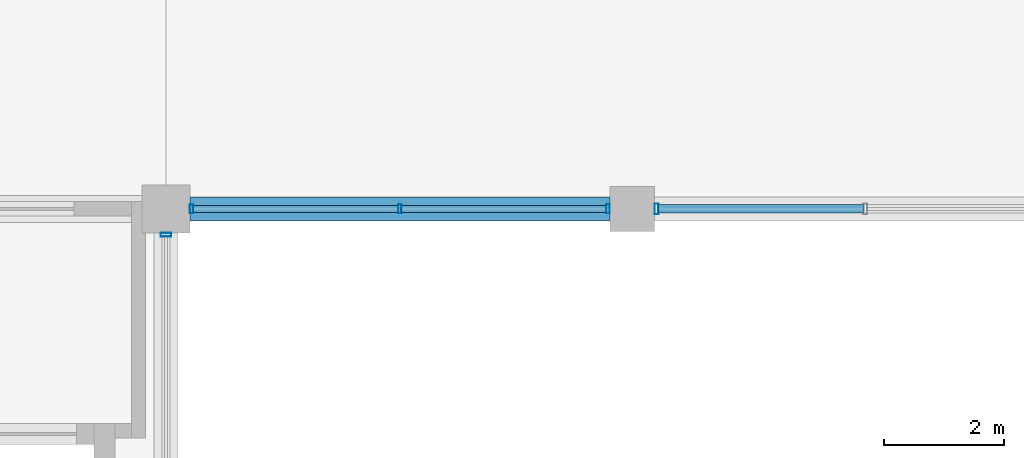
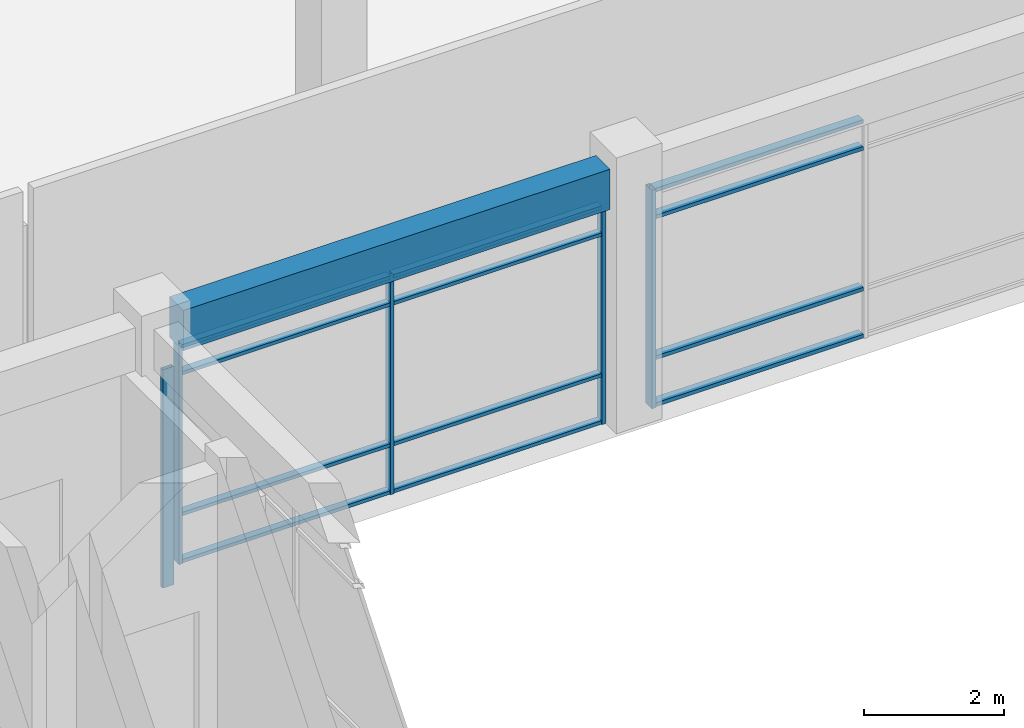
# One storey, part 6 of 62: 17 members, 1 beam, 3 elements without a shape of their own.
"""IFC4 building model written with IfcOpenShell, lengths in metres."""

from ifc_helpers import new_model, si_unit, direction, frame, origin, origin_2d, place, context, subcontext, project, spatial, rectangle, hollow_rectangle, extrude, material, material_profile, profile_set, type_object, element, aggregate, save


model = new_model("IFC4")

# Units and contexts
model_context = context("Model", 3, precision=1e-05, world=origin(), true_north=direction((0.0, 1.0)))
body_context = subcontext(model_context, "Body", "Model", "MODEL_VIEW")
ifc_project = project(units=[si_unit("LENGTHUNIT", "METRE"), si_unit("AREAUNIT", "SQUARE_METRE"), si_unit("VOLUMEUNIT", "CUBIC_METRE"), si_unit("PLANEANGLEUNIT", "RADIAN"), si_unit("MASSUNIT", "GRAM", prefix="KILO"), si_unit("THERMODYNAMICTEMPERATUREUNIT", "KELVIN"), si_unit("POWERUNIT", "WATT")], contexts=[model_context])

# Site, building, storey
site_placement = place(None, origin())
site = spatial("IfcSite", under=ifc_project, at=site_placement, CompositionType="ELEMENT")
building_placement = place(site_placement, origin())
building = spatial("IfcBuilding", under=site, at=building_placement, Name="Srebrne Nadtorze General Hospital", CompositionType="ELEMENT")
storey_placement = place(building_placement, frame((0.0, 0.0, 9.60009765625)))
storey = spatial("IfcBuildingStorey", under=building, at=storey_placement, Name="L02", CompositionType="ELEMENT", Elevation=9.60009765625)

# Curtain wall, members
ifc_material_1 = material(Name="Anodised Aluminium", Category="aluminium")
curtain_wall_type_1 = type_object("IfcCurtainWallType", Name="Unitised curtain wall 7025x3800", PredefinedType="NOTDEFINED", material=ifc_material_1)
curtain_wall_1_placement = place(storey_placement, origin())
curtain_wall_1 = element("IfcCurtainWall", 1, at=curtain_wall_1_placement, inside=storey, type_object=curtain_wall_type_1, Name="Curtain wall CW-076", PredefinedType="NOTDEFINED")
ifc_material_2 = material(Name="Anodised Aluminium", Category="aluminium")
ifc_material_profile_1 = material_profile(ifc_material_2, hollow_rectangle(XDim=0.06005859375, YDim=0.14990234375, WallThickness=0.00390625, at=origin_2d()), Name="AL-MUL-60x150")
ifc_profile_set_1 = profile_set([ifc_material_profile_1], Name="Anodised Aluminium")
member_type_1 = type_object("IfcMemberType", Name="Curtain mullion 60x150", PredefinedType="MULLION", material=ifc_profile_set_1)
member_1_placement = place(storey_placement, frame((55.030029296875, 50.39990234375, 0.0), z_axis=(0.0, 0.0, 1.0), x_axis=(1.0, 0.0, 0.0)))
member_1 = element("IfcMember", 2, at=member_1_placement, type_object=member_type_1, Name="CW-076 mullion 1", PredefinedType="MULLION", context=body_context, shape_type="SweptSolid", body=[
    extrude(hollow_rectangle(XDim=0.06005859375, YDim=0.14990234375, WallThickness=0.00390625, at=origin_2d()), origin(), (0.0, 0.0, 1.0), 3.7998046875),
])
member_2_placement = place(storey_placement, frame((58.512451171875, 50.39990234375, 0.0), z_axis=(0.0, 0.0, 1.0), x_axis=(1.0, 0.0, 0.0)))
member_2 = element("IfcMember", 3, at=member_2_placement, type_object=member_type_1, Name="CW-076 mullion 2", PredefinedType="MULLION", context=body_context, shape_type="SweptSolid", body=[
    extrude(hollow_rectangle(XDim=0.06005859375, YDim=0.14990234375, WallThickness=0.00390625, at=origin_2d()), origin(), (0.0, 0.0, 1.0), 3.7998046875),
])
member_3_placement = place(storey_placement, frame((61.9951171875, 50.39990234375, 0.0), z_axis=(0.0, 0.0, 1.0), x_axis=(1.0, 0.0, 0.0)))
member_3 = element("IfcMember", 4, at=member_3_placement, type_object=member_type_1, Name="CW-076 mullion 3", PredefinedType="MULLION", context=body_context, shape_type="SweptSolid", body=[
    extrude(hollow_rectangle(XDim=0.06005859375, YDim=0.14990234375, WallThickness=0.00390625, at=origin_2d()), origin(), (0.0, 0.0, 1.0), 3.7998046875),
])

# Curtain wall, member
ifc_material_3 = material(Name="Anodised Aluminium", Category="aluminium")
curtain_wall_type_2 = type_object("IfcCurtainWallType", Name="Unitised curtain wall 7050x3800", PredefinedType="NOTDEFINED", material=ifc_material_3)
curtain_wall_2_placement = place(storey_placement, origin())
curtain_wall_2 = element("IfcCurtainWall", 5, at=curtain_wall_2_placement, inside=storey, type_object=curtain_wall_type_2, Name="Curtain wall CW-077", PredefinedType="NOTDEFINED")
ifc_material_4 = material(Name="Anodised Aluminium", Category="aluminium")
ifc_material_profile_2 = material_profile(ifc_material_4, hollow_rectangle(XDim=0.06494140625, YDim=0.179931640625, WallThickness=0.00390625, at=origin_2d()), Name="AL-MUL-65x180")
ifc_profile_set_2 = profile_set([ifc_material_profile_2], Name="Anodised Aluminium")
member_type_2 = type_object("IfcMemberType", Name="Curtain mullion 65x180", PredefinedType="MULLION", material=ifc_profile_set_2)
member_4_placement = place(storey_placement, frame((62.8076171875, 50.39990234375, 0.0), z_axis=(0.0, 0.0, 1.0), x_axis=(1.0, 0.0, 0.0)))
member_4 = element("IfcMember", 6, at=member_4_placement, type_object=member_type_2, Name="CW-077 mullion 1", PredefinedType="MULLION", context=body_context, shape_type="SweptSolid", body=[
    extrude(hollow_rectangle(XDim=0.06494140625, YDim=0.179931640625, WallThickness=0.00390625, at=origin_2d()), origin(), (0.0, 0.0, 1.0), 3.7998046875),
])

ifc_material_5 = material(Name="Anodised Aluminium", Category="aluminium")
curtain_wall_type_3 = type_object("IfcCurtainWallType", Name="Unitised curtain wall 7600x3800", PredefinedType="NOTDEFINED", material=ifc_material_5)
curtain_wall_3_placement = place(storey_placement, origin())
curtain_wall_3 = element("IfcCurtainWall", 7, at=curtain_wall_3_placement, inside=storey, type_object=curtain_wall_type_3, Name="Curtain wall CW-083", PredefinedType="NOTDEFINED")
member_5_placement = place(storey_placement, frame((54.60009765625, 49.967529296875, 0.0), z_axis=(0.0, 0.0, 1.0), x_axis=(0.0, 1.0, 0.0)))
member_5 = element("IfcMember", 8, at=member_5_placement, type_object=member_type_2, Name="CW-083 mullion 3", PredefinedType="MULLION", context=body_context, shape_type="SweptSolid", body=[
    extrude(hollow_rectangle(XDim=0.06494140625, YDim=0.179931640625, WallThickness=0.00390625, at=origin_2d()), origin(), (0.0, 0.0, 1.0), 3.7998046875),
])
aggregate(curtain_wall_3, [member_5])

# Member
ifc_material_6 = material(Name="Anodised Aluminium", Category="aluminium")
ifc_material_profile_3 = material_profile(ifc_material_6, hollow_rectangle(XDim=0.06005859375, YDim=0.1201171875, WallThickness=0.00390625, at=origin_2d()), Name="AL-TRN-60x120")
ifc_profile_set_3 = profile_set([ifc_material_profile_3], Name="Anodised Aluminium")
member_type_3 = type_object("IfcMemberType", Name="Curtain transom 60x120", PredefinedType="USERDEFINED", material=ifc_profile_set_3)
member_6_placement = place(storey_placement, frame((55.06005859375, 50.39990234375, 0.02978515625), z_axis=(1.0, 0.0, 0.0), x_axis=(0.0, 0.0, 1.0)))
member_6 = element("IfcMember", 9, at=member_6_placement, type_object=member_type_3, Name="CW-076 transom 1.1", ObjectType="TRANSOM", PredefinedType="USERDEFINED", context=body_context, shape_type="SweptSolid", body=[
    extrude(hollow_rectangle(XDim=0.06005859375, YDim=0.1201171875, WallThickness=0.00390625, at=origin_2d()), origin(), (0.0, 0.0, 1.0), 3.42236328125),
])

member_7_placement = place(storey_placement, frame((55.06005859375, 50.39990234375, 0.849853515625), z_axis=(1.0, 0.0, 0.0), x_axis=(0.0, 0.0, 1.0)))
member_7 = element("IfcMember", 10, at=member_7_placement, type_object=member_type_3, Name="CW-076 transom 1.2", ObjectType="TRANSOM", PredefinedType="USERDEFINED", context=body_context, shape_type="SweptSolid", body=[
    extrude(hollow_rectangle(XDim=0.06005859375, YDim=0.1201171875, WallThickness=0.00390625, at=origin_2d()), origin(), (0.0, 0.0, 1.0), 3.42236328125),
])

member_8_placement = place(storey_placement, frame((55.06005859375, 50.39990234375, 3.2998046875), z_axis=(1.0, 0.0, 0.0), x_axis=(0.0, 0.0, 1.0)))
member_8 = element("IfcMember", 11, at=member_8_placement, type_object=member_type_3, Name="CW-076 transom 1.3", ObjectType="TRANSOM", PredefinedType="USERDEFINED", context=body_context, shape_type="SweptSolid", body=[
    extrude(hollow_rectangle(XDim=0.06005859375, YDim=0.1201171875, WallThickness=0.00390625, at=origin_2d()), origin(), (0.0, 0.0, 1.0), 3.42236328125),
])

member_9_placement = place(storey_placement, frame((55.06005859375, 50.39990234375, 3.77001953125), z_axis=(1.0, 0.0, 0.0), x_axis=(0.0, 0.0, 1.0)))
member_9 = element("IfcMember", 12, at=member_9_placement, type_object=member_type_3, Name="CW-076 transom 1.4", ObjectType="TRANSOM", PredefinedType="USERDEFINED", context=body_context, shape_type="SweptSolid", body=[
    extrude(hollow_rectangle(XDim=0.06005859375, YDim=0.1201171875, WallThickness=0.00390625, at=origin_2d()), origin(), (0.0, 0.0, 1.0), 3.42236328125),
])

member_10_placement = place(storey_placement, frame((58.54248046875, 50.39990234375, 0.02978515625), z_axis=(1.0, 0.0, 0.0), x_axis=(0.0, 0.0, 1.0)))
member_10 = element("IfcMember", 13, at=member_10_placement, type_object=member_type_3, Name="CW-076 transom 2.1", ObjectType="TRANSOM", PredefinedType="USERDEFINED", context=body_context, shape_type="SweptSolid", body=[
    extrude(hollow_rectangle(XDim=0.06005859375, YDim=0.1201171875, WallThickness=0.00390625, at=origin_2d()), origin(), (0.0, 0.0, 1.0), 3.422607421875),
])

member_11_placement = place(storey_placement, frame((58.54248046875, 50.39990234375, 0.849853515625), z_axis=(1.0, 0.0, 0.0), x_axis=(0.0, 0.0, 1.0)))
member_11 = element("IfcMember", 14, at=member_11_placement, type_object=member_type_3, Name="CW-076 transom 2.2", ObjectType="TRANSOM", PredefinedType="USERDEFINED", context=body_context, shape_type="SweptSolid", body=[
    extrude(hollow_rectangle(XDim=0.06005859375, YDim=0.1201171875, WallThickness=0.00390625, at=origin_2d()), origin(), (0.0, 0.0, 1.0), 3.422607421875),
])

member_12_placement = place(storey_placement, frame((58.54248046875, 50.39990234375, 3.2998046875), z_axis=(1.0, 0.0, 0.0), x_axis=(0.0, 0.0, 1.0)))
member_12 = element("IfcMember", 15, at=member_12_placement, type_object=member_type_3, Name="CW-076 transom 2.3", ObjectType="TRANSOM", PredefinedType="USERDEFINED", context=body_context, shape_type="SweptSolid", body=[
    extrude(hollow_rectangle(XDim=0.06005859375, YDim=0.1201171875, WallThickness=0.00390625, at=origin_2d()), origin(), (0.0, 0.0, 1.0), 3.422607421875),
])

member_13_placement = place(storey_placement, frame((58.54248046875, 50.39990234375, 3.77001953125), z_axis=(1.0, 0.0, 0.0), x_axis=(0.0, 0.0, 1.0)))
member_13 = element("IfcMember", 16, at=member_13_placement, type_object=member_type_3, Name="CW-076 transom 2.4", ObjectType="TRANSOM", PredefinedType="USERDEFINED", context=body_context, shape_type="SweptSolid", body=[
    extrude(hollow_rectangle(XDim=0.06005859375, YDim=0.1201171875, WallThickness=0.00390625, at=origin_2d()), origin(), (0.0, 0.0, 1.0), 3.422607421875),
])

aggregate(curtain_wall_1, [member_1, member_2, member_3, member_6, member_7, member_8, member_9, member_10, member_11, member_12, member_13])

ifc_material_7 = material(Name="Anodised Aluminium", Category="aluminium")
ifc_material_profile_4 = material_profile(ifc_material_7, hollow_rectangle(XDim=0.06494140625, YDim=0.139892578125, WallThickness=0.00390625, at=origin_2d()), Name="AL-TRN-65x140")
ifc_profile_set_4 = profile_set([ifc_material_profile_4], Name="Anodised Aluminium")
member_type_4 = type_object("IfcMemberType", Name="Curtain transom 65x140", PredefinedType="USERDEFINED", material=ifc_profile_set_4)
member_14_placement = place(storey_placement, frame((62.840087890625, 50.39990234375, 0.032470703125), z_axis=(1.0, 0.0, 0.0), x_axis=(0.0, 0.0, 1.0)))
member_14 = element("IfcMember", 17, at=member_14_placement, type_object=member_type_4, Name="CW-077 transom 1.1", ObjectType="TRANSOM", PredefinedType="USERDEFINED", context=body_context, shape_type="SweptSolid", body=[
    extrude(hollow_rectangle(XDim=0.06494140625, YDim=0.139892578125, WallThickness=0.00390625, at=origin_2d()), origin(), (0.0, 0.0, 1.0), 3.427490234375),
])

member_15_placement = place(storey_placement, frame((62.840087890625, 50.39990234375, 0.849853515625), z_axis=(1.0, 0.0, 0.0), x_axis=(0.0, 0.0, 1.0)))
member_15 = element("IfcMember", 18, at=member_15_placement, type_object=member_type_4, Name="CW-077 transom 1.2", ObjectType="TRANSOM", PredefinedType="USERDEFINED", context=body_context, shape_type="SweptSolid", body=[
    extrude(hollow_rectangle(XDim=0.06494140625, YDim=0.139892578125, WallThickness=0.00390625, at=origin_2d()), origin(), (0.0, 0.0, 1.0), 3.427490234375),
])

member_16_placement = place(storey_placement, frame((62.840087890625, 50.39990234375, 3.2998046875), z_axis=(1.0, 0.0, 0.0), x_axis=(0.0, 0.0, 1.0)))
member_16 = element("IfcMember", 19, at=member_16_placement, type_object=member_type_4, Name="CW-077 transom 1.3", ObjectType="TRANSOM", PredefinedType="USERDEFINED", context=body_context, shape_type="SweptSolid", body=[
    extrude(hollow_rectangle(XDim=0.06494140625, YDim=0.139892578125, WallThickness=0.00390625, at=origin_2d()), origin(), (0.0, 0.0, 1.0), 3.427490234375),
])

member_17_placement = place(storey_placement, frame((62.840087890625, 50.39990234375, 3.767333984375), z_axis=(1.0, 0.0, 0.0), x_axis=(0.0, 0.0, 1.0)))
member_17 = element("IfcMember", 20, at=member_17_placement, type_object=member_type_4, Name="CW-077 transom 1.4", ObjectType="TRANSOM", PredefinedType="USERDEFINED", context=body_context, shape_type="SweptSolid", body=[
    extrude(hollow_rectangle(XDim=0.06494140625, YDim=0.139892578125, WallThickness=0.00390625, at=origin_2d()), origin(), (0.0, 0.0, 1.0), 3.427490234375),
])

aggregate(curtain_wall_2, [member_4, member_14, member_15, member_16, member_17])

# Beam
ifc_material_8 = material(Name="Concrete C40/50", Category="concrete")
ifc_material_profile_5 = material_profile(ifc_material_8, rectangle(XDim=0.39990234375, YDim=0.699951171875, at=origin_2d()), Name="RC-BM-400x700")
ifc_profile_set_5 = profile_set([ifc_material_profile_5], Name="Concrete C40/50")
beam_type = type_object("IfcBeamType", Name="Edge beam RC 400x700", PredefinedType="BEAM", material=ifc_profile_set_5)
beam_placement = place(storey_placement, frame((55.0, 50.39990234375, 4.14990234375), z_axis=(1.0, 0.0, 0.0), x_axis=(0.0, 1.0, 0.0)))
element("IfcBeam", 21, at=beam_placement, inside=storey, type_object=beam_type, Name="Beam BM-L02-X-0582", PredefinedType="BEAM", context=body_context, shape_type="SweptSolid", body=[
    extrude(rectangle(XDim=0.39990234375, YDim=0.699951171875, at=origin_2d()), origin(), (0.0, 0.0, 1.0), 7.02490234375),
])

save(model, "model.ifc")
